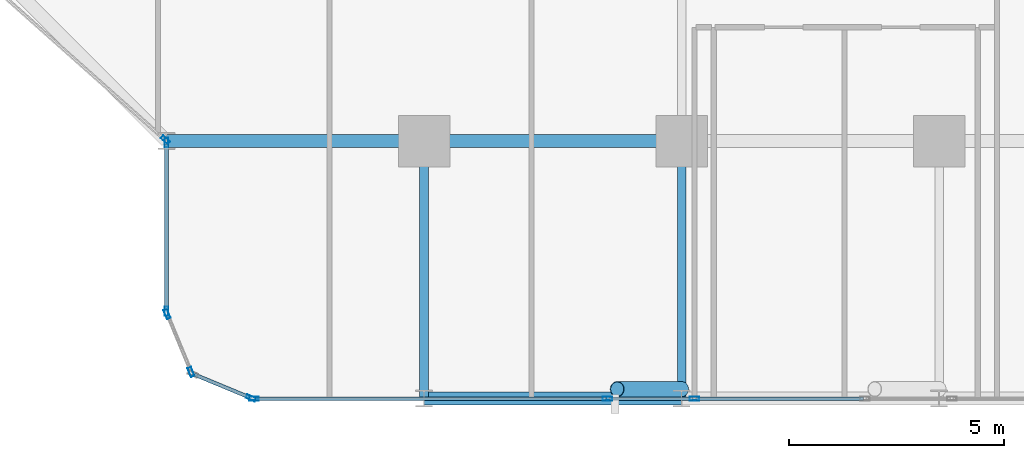
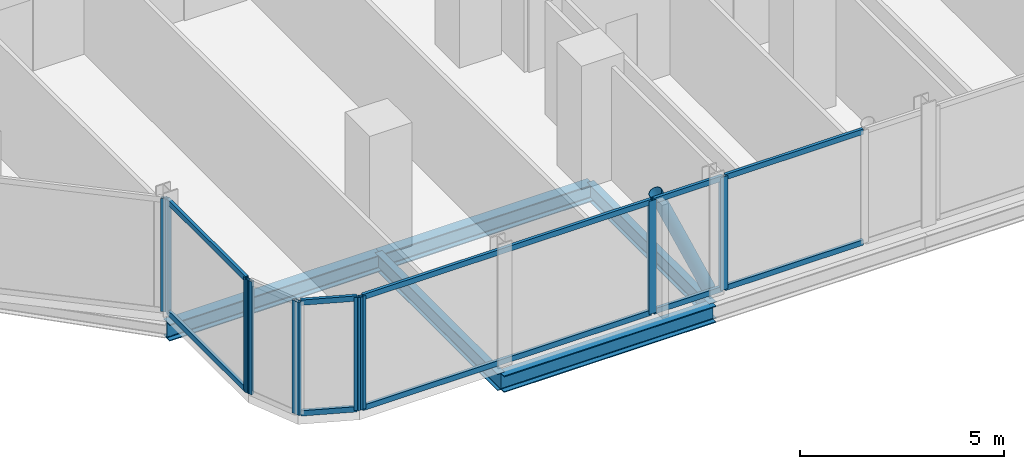
# One storey, part 4 of 34: 20 members, 5 beams, 7 elements without a shape of their own.
"""IFC4 building model written with IfcOpenShell, lengths in metres."""

from ifc_helpers import new_model, si_unit, direction, frame, origin, origin_2d, place, context, subcontext, project, spatial, hollow_rectangle, hollow_circle, i_section, extrude, material, layer, layer_set, material_profile, profile_set, type_object, element, aggregate, save


model = new_model("IFC4")

# Units and contexts
model_context = context("Model", 3, precision=1e-05, world=origin(), true_north=direction((0.0, 1.0)))
body_context = subcontext(model_context, "Body", "Model", "MODEL_VIEW")
ifc_project = project(units=[si_unit("LENGTHUNIT", "METRE"), si_unit("AREAUNIT", "SQUARE_METRE"), si_unit("VOLUMEUNIT", "CUBIC_METRE"), si_unit("PLANEANGLEUNIT", "RADIAN"), si_unit("MASSUNIT", "GRAM", prefix="KILO")], contexts=[model_context])

# Site, building, storey
site_placement = place(None, origin())
site = spatial("IfcSite", under=ifc_project, at=site_placement, CompositionType="ELEMENT")
building_placement = place(site_placement, origin())
building = spatial("IfcBuilding", under=site, at=building_placement, Name="Keshet Zoharim Tower", CompositionType="ELEMENT")
storey_placement = place(building_placement, frame((0.0, 0.0, 70.10009765625)))
storey = spatial("IfcBuildingStorey", under=building, at=storey_placement, Name="L16", CompositionType="ELEMENT", Elevation=70.10009765625)

# Beams
ifc_material_1 = material(Name="Steel S355", Category="steel")
ifc_material_profile_1 = material_profile(ifc_material_1, i_section(OverallWidth=0.199951171875, OverallDepth=0.5, WebThickness=0.01025390625, FlangeThickness=0.01611328125, FilletRadius=0.02099609375, at=origin_2d()), Name="IPE500")
ifc_profile_set_1 = profile_set([ifc_material_profile_1], Name="Steel S355")
beam_type_1 = type_object("IfcBeamType", Name="BM-PRI-IP500", PredefinedType="BEAM", material=ifc_profile_set_1)
for number, where, z_axis, x_axis, name in (
    (1, (27.0, 0.699951171875, -0.565185546875), (0.0, 1.0, 0.0), (-1.0, 0.0, 0.0), "L16 Primary Girder Y-004"),
    (2, (33.0, 0.699951171875, -0.565185546875), (0.0, 1.0, 0.0), (-1.0, 0.0, 0.0), "L16 Primary Girder Y-005"),
):
    element("IfcBeam", number, at=place(storey_placement, frame(where, z_axis=z_axis, x_axis=x_axis)), inside=storey, type_object=beam_type_1, Name=name, PredefinedType="BEAM", context=body_context, shape_type="SweptSolid", body=[
        extrude(i_section(OverallWidth=0.199951171875, OverallDepth=0.5, WebThickness=0.01025390625, FlangeThickness=0.01611328125, FilletRadius=0.02099609375, at=origin_2d()), origin(), (0.0, 0.0, 1.0), 6.0),
    ])
ifc_material_profile_2 = material_profile(ifc_material_1, i_section(OverallWidth=0.300048828125, OverallDepth=0.5, WebThickness=0.014404296875, FlangeThickness=0.028076171875, FilletRadius=0.027099609375, at=origin_2d()), Name="HEB500")
ifc_profile_set_2 = profile_set([ifc_material_profile_2], Name="Steel S355")
beam_type_2 = type_object("IfcBeamType", Name="BM-WEB-HB500", PredefinedType="BEAM", material=ifc_profile_set_2)
for number, where, z_axis, x_axis, name in (
    (3, (27.0, 0.699951171875, -0.565185546875), (1.0, 0.0, 0.0), (0.0, 1.0, 0.0), "L16 Primary Girder X-001"),
    (4, (21.0, 6.699951171875, -0.565185546875), (1.0, 0.0, 0.0), (0.0, 1.0, 0.0), "L16 Primary Girder X-006"),
    (5, (27.0, 6.699951171875, -0.565185546875), (1.0, 0.0, 0.0), (0.0, 1.0, 0.0), "L16 Primary Girder X-007"),
):
    element("IfcBeam", number, at=place(storey_placement, frame(where, z_axis=z_axis, x_axis=x_axis)), inside=storey, type_object=beam_type_2, Name=name, PredefinedType="BEAM", context=body_context, shape_type="SweptSolid", body=[
        extrude(i_section(OverallWidth=0.300048828125, OverallDepth=0.5, WebThickness=0.014404296875, FlangeThickness=0.028076171875, FilletRadius=0.027099609375, at=origin_2d()), origin(), (0.0, 0.0, 1.0), 6.0),
    ])

# Curtain wall, member
ifc_material_2 = material(Name="Aluminium 6063-T6", Category="aluminium")
ifc_layer = layer(ifc_material_2, 0.179931640625)
ifc_layer_set = layer_set([ifc_layer], Name="Aluminium 6063-T6")
curtain_wall_type = type_object("IfcCurtainWallType", Name="CW-SYS-01", PredefinedType="NOTDEFINED", material=ifc_layer_set)
curtain_wall_1_placement = place(storey_placement, origin())
curtain_wall_1 = element("IfcCurtainWall", 6, at=curtain_wall_1_placement, inside=storey, type_object=curtain_wall_type, Name="L16 Unitised Curtain Wall 01", PredefinedType="NOTDEFINED")
ifc_material_profile_3 = material_profile(ifc_material_2, hollow_rectangle(XDim=0.090087890625, YDim=0.219970703125, WallThickness=0.0048828125, at=origin_2d()), Name="MUL-90x220")
ifc_profile_set_3 = profile_set([ifc_material_profile_3], Name="Aluminium 6063-T6")
member_type_1 = type_object("IfcMemberType", Name="CWM-M22", PredefinedType="MULLION", material=ifc_profile_set_3)
member_1_placement = place(storey_placement, frame((20.973876953125, 6.72314453125, 0.0), z_axis=(0.0, 0.0, 1.0), x_axis=(-0.664363838836, -0.747409318679, 0.0)))
member_1 = element("IfcMember", 7, at=member_1_placement, type_object=member_type_1, Name="CW-01 mullion 1", PredefinedType="MULLION", context=body_context, shape_type="SweptSolid", body=[
    extrude(hollow_rectangle(XDim=0.090087890625, YDim=0.219970703125, WallThickness=0.0048828125, at=origin_2d()), origin(), (0.0, 0.0, 1.0), 3.385009765625),
])
aggregate(curtain_wall_1, [member_1])

curtain_wall_2_placement = place(storey_placement, origin())
curtain_wall_2 = element("IfcCurtainWall", 8, at=curtain_wall_2_placement, inside=storey, type_object=curtain_wall_type, Name="L16 Unitised Curtain Wall 26 Part 3", PredefinedType="NOTDEFINED")
member_2_placement = place(storey_placement, frame((33.297607421875, 0.699951171875, 0.0), z_axis=(0.0, 0.0, 1.0), x_axis=(0.0, -1.0, 0.0)))
member_2 = element("IfcMember", 9, at=member_2_placement, type_object=member_type_1, Name="CW-01 mullion 2", PredefinedType="MULLION", context=body_context, shape_type="SweptSolid", body=[
    extrude(hollow_rectangle(XDim=0.090087890625, YDim=0.219970703125, WallThickness=0.0048828125, at=origin_2d()), origin(), (0.0, 0.0, 1.0), 3.385009765625),
])

curtain_wall_3_placement = place(storey_placement, origin())
curtain_wall_3 = element("IfcCurtainWall", 10, at=curtain_wall_3_placement, inside=storey, type_object=curtain_wall_type, Name="L16 Unitised Curtain Wall 26 Part 4", PredefinedType="NOTDEFINED")
member_3_placement = place(storey_placement, frame((31.2724609375, 0.699951171875, 0.0), z_axis=(0.0, 0.0, 1.0), x_axis=(0.0, -1.0, 0.0)))
member_3 = element("IfcMember", 11, at=member_3_placement, type_object=member_type_1, Name="CW-01 mullion 2", PredefinedType="MULLION", context=body_context, shape_type="SweptSolid", body=[
    extrude(hollow_rectangle(XDim=0.090087890625, YDim=0.219970703125, WallThickness=0.0048828125, at=origin_2d()), origin(), (0.0, 0.0, 1.0), 3.385009765625),
])

curtain_wall_4_placement = place(storey_placement, origin())
curtain_wall_4 = element("IfcCurtainWall", 12, at=curtain_wall_4_placement, inside=storey, type_object=curtain_wall_type, Name="L16 Unitised Curtain Wall 26 Part 5", PredefinedType="NOTDEFINED")
member_4_placement = place(storey_placement, frame((23.034912109375, 0.699951171875, 0.0), z_axis=(0.0, 0.0, 1.0), x_axis=(0.0, -1.0, 0.0)))
member_4 = element("IfcMember", 13, at=member_4_placement, type_object=member_type_1, Name="CW-01 mullion 2", PredefinedType="MULLION", context=body_context, shape_type="SweptSolid", body=[
    extrude(hollow_rectangle(XDim=0.090087890625, YDim=0.219970703125, WallThickness=0.0048828125, at=origin_2d()), origin(), (0.0, 0.0, 1.0), 3.385009765625),
])

curtain_wall_5_placement = place(storey_placement, origin())
curtain_wall_5 = element("IfcCurtainWall", 14, at=curtain_wall_5_placement, inside=storey, type_object=curtain_wall_type, Name="L16 Unitised Curtain Wall 27", PredefinedType="NOTDEFINED")
member_5_placement = place(storey_placement, frame((22.9677734375, 0.71337890625, 0.0), z_axis=(0.0, 0.0, 1.0), x_axis=(-0.382851849847, -0.92380975372, 0.0)))
member_5 = element("IfcMember", 15, at=member_5_placement, type_object=member_type_1, Name="CW-01 mullion 1", PredefinedType="MULLION", context=body_context, shape_type="SweptSolid", body=[
    extrude(hollow_rectangle(XDim=0.090087890625, YDim=0.219970703125, WallThickness=0.0048828125, at=origin_2d()), origin(), (0.0, 0.0, 1.0), 3.385009765625),
])

# Curtain wall, members
curtain_wall_6_placement = place(storey_placement, origin())
curtain_wall_6 = element("IfcCurtainWall", 16, at=curtain_wall_6_placement, inside=storey, type_object=curtain_wall_type, Name="L16 Unitised Curtain Wall 28", PredefinedType="NOTDEFINED")
member_6_placement = place(storey_placement, frame((21.572509765625, 1.318359375, 0.0), z_axis=(0.0, 0.0, 1.0), x_axis=(-0.92380975372, -0.382851849847, 0.0)))
member_6 = element("IfcMember", 17, at=member_6_placement, type_object=member_type_1, Name="CW-01 mullion 1", PredefinedType="MULLION", context=body_context, shape_type="SweptSolid", body=[
    extrude(hollow_rectangle(XDim=0.090087890625, YDim=0.219970703125, WallThickness=0.0048828125, at=origin_2d()), origin(), (0.0, 0.0, 1.0), 3.385009765625),
])
member_7_placement = place(storey_placement, frame((21.013427734375, 2.667724609375, 0.0), z_axis=(0.0, 0.0, 1.0), x_axis=(-0.92380975372, -0.382851849847, 0.0)))
member_7 = element("IfcMember", 18, at=member_7_placement, type_object=member_type_1, Name="CW-01 mullion 2", PredefinedType="MULLION", context=body_context, shape_type="SweptSolid", body=[
    extrude(hollow_rectangle(XDim=0.090087890625, YDim=0.219970703125, WallThickness=0.0048828125, at=origin_2d()), origin(), (0.0, 0.0, 1.0), 3.385009765625),
])
aggregate(curtain_wall_6, [member_6, member_7])

curtain_wall_7_placement = place(storey_placement, origin())
curtain_wall_7 = element("IfcCurtainWall", 19, at=curtain_wall_7_placement, inside=storey, type_object=curtain_wall_type, Name="L16 Unitised Curtain Wall 29", PredefinedType="NOTDEFINED")
member_8_placement = place(storey_placement, frame((21.0, 2.735107421875, 0.0), z_axis=(0.0, 0.0, 1.0), x_axis=(-1.0, 0.0, 0.0)))
member_8 = element("IfcMember", 20, at=member_8_placement, type_object=member_type_1, Name="CW-01 mullion 1", PredefinedType="MULLION", context=body_context, shape_type="SweptSolid", body=[
    extrude(hollow_rectangle(XDim=0.090087890625, YDim=0.219970703125, WallThickness=0.0048828125, at=origin_2d()), origin(), (0.0, 0.0, 1.0), 3.385009765625),
])
member_9_placement = place(storey_placement, frame((21.0, 6.6650390625, 0.0), z_axis=(0.0, 0.0, 1.0), x_axis=(-1.0, 0.0, 0.0)))
member_9 = element("IfcMember", 21, at=member_9_placement, type_object=member_type_1, Name="CW-01 mullion 2", PredefinedType="MULLION", context=body_context, shape_type="SweptSolid", body=[
    extrude(hollow_rectangle(XDim=0.090087890625, YDim=0.219970703125, WallThickness=0.0048828125, at=origin_2d()), origin(), (0.0, 0.0, 1.0), 3.385009765625),
])

# Member
ifc_material_profile_4 = material_profile(ifc_material_2, hollow_rectangle(XDim=0.0849609375, YDim=0.159912109375, WallThickness=0.00439453125, at=origin_2d()), Name="TRN-85x160")
ifc_profile_set_4 = profile_set([ifc_material_profile_4], Name="Aluminium 6063-T6")
member_type_2 = type_object("IfcMemberType", Name="CWT-T16", PredefinedType="USERDEFINED", material=ifc_profile_set_4)
member_10_placement = place(storey_placement, frame((37.2373046875, 0.699951171875, 0.034912109375), z_axis=(-1.0, 0.0, 0.0), x_axis=(0.0, -1.0, 0.0)))
member_10 = element("IfcMember", 22, at=member_10_placement, type_object=member_type_2, Name="CW-01 transom 1.1", ObjectType="TRANSOM", PredefinedType="USERDEFINED", context=body_context, shape_type="SweptSolid", body=[
    extrude(hollow_rectangle(XDim=0.0849609375, YDim=0.159912109375, WallThickness=0.00439453125, at=origin_2d()), origin(), (0.0, 0.0, 1.0), 3.90478515625),
])

member_11_placement = place(storey_placement, frame((37.2373046875, 0.699951171875, 3.349853515625), z_axis=(-1.0, 0.0, 0.0), x_axis=(0.0, -1.0, 0.0)))
member_11 = element("IfcMember", 23, at=member_11_placement, type_object=member_type_2, Name="CW-01 transom 1.2", ObjectType="TRANSOM", PredefinedType="USERDEFINED", context=body_context, shape_type="SweptSolid", body=[
    extrude(hollow_rectangle(XDim=0.0849609375, YDim=0.159912109375, WallThickness=0.00439453125, at=origin_2d()), origin(), (0.0, 0.0, 1.0), 3.90478515625),
])

aggregate(curtain_wall_2, [member_2, member_10, member_11])

member_12_placement = place(storey_placement, frame((33.2626953125, 0.699951171875, 0.034912109375), z_axis=(-1.0, 0.0, 0.0), x_axis=(0.0, -1.0, 0.0)))
member_12 = element("IfcMember", 24, at=member_12_placement, type_object=member_type_2, Name="CW-01 transom 1.1", ObjectType="TRANSOM", PredefinedType="USERDEFINED", context=body_context, shape_type="SweptSolid", body=[
    extrude(hollow_rectangle(XDim=0.0849609375, YDim=0.159912109375, WallThickness=0.00439453125, at=origin_2d()), origin(), (0.0, 0.0, 1.0), 1.955322265625),
])

member_13_placement = place(storey_placement, frame((33.2626953125, 0.699951171875, 3.349853515625), z_axis=(-1.0, 0.0, 0.0), x_axis=(0.0, -1.0, 0.0)))
member_13 = element("IfcMember", 25, at=member_13_placement, type_object=member_type_2, Name="CW-01 transom 1.2", ObjectType="TRANSOM", PredefinedType="USERDEFINED", context=body_context, shape_type="SweptSolid", body=[
    extrude(hollow_rectangle(XDim=0.0849609375, YDim=0.159912109375, WallThickness=0.00439453125, at=origin_2d()), origin(), (0.0, 0.0, 1.0), 1.955322265625),
])

aggregate(curtain_wall_3, [member_3, member_12, member_13])

member_14_placement = place(storey_placement, frame((31.2373046875, 0.699951171875, 0.034912109375), z_axis=(-1.0, 0.0, 0.0), x_axis=(0.0, -1.0, 0.0)))
member_14 = element("IfcMember", 26, at=member_14_placement, type_object=member_type_2, Name="CW-01 transom 1.1", ObjectType="TRANSOM", PredefinedType="USERDEFINED", context=body_context, shape_type="SweptSolid", body=[
    extrude(hollow_rectangle(XDim=0.0849609375, YDim=0.159912109375, WallThickness=0.00439453125, at=origin_2d()), origin(), (0.0, 0.0, 1.0), 8.167236328125),
])

member_15_placement = place(storey_placement, frame((31.2373046875, 0.699951171875, 3.349853515625), z_axis=(-1.0, 0.0, 0.0), x_axis=(0.0, -1.0, 0.0)))
member_15 = element("IfcMember", 27, at=member_15_placement, type_object=member_type_2, Name="CW-01 transom 1.2", ObjectType="TRANSOM", PredefinedType="USERDEFINED", context=body_context, shape_type="SweptSolid", body=[
    extrude(hollow_rectangle(XDim=0.0849609375, YDim=0.159912109375, WallThickness=0.00439453125, at=origin_2d()), origin(), (0.0, 0.0, 1.0), 8.167236328125),
])

aggregate(curtain_wall_4, [member_4, member_14, member_15])

member_16_placement = place(storey_placement, frame((22.935302734375, 0.726806640625, 0.034912109375), z_axis=(-0.92379209995, 0.382894445076, 0.0), x_axis=(-0.382894445076, -0.92379209995, 0.0)))
member_16 = element("IfcMember", 28, at=member_16_placement, type_object=member_type_2, Name="CW-01 transom 1.1", ObjectType="TRANSOM", PredefinedType="USERDEFINED", context=body_context, shape_type="SweptSolid", body=[
    extrude(hollow_rectangle(XDim=0.0849609375, YDim=0.159912109375, WallThickness=0.00439453125, at=origin_2d()), origin(), (0.0, 0.0, 1.0), 1.390625),
])

member_17_placement = place(storey_placement, frame((22.935302734375, 0.726806640625, 3.349853515625), z_axis=(-0.92379209995, 0.382894445076, 0.0), x_axis=(-0.382894445076, -0.92379209995, 0.0)))
member_17 = element("IfcMember", 29, at=member_17_placement, type_object=member_type_2, Name="CW-01 transom 1.2", ObjectType="TRANSOM", PredefinedType="USERDEFINED", context=body_context, shape_type="SweptSolid", body=[
    extrude(hollow_rectangle(XDim=0.0849609375, YDim=0.159912109375, WallThickness=0.00439453125, at=origin_2d()), origin(), (0.0, 0.0, 1.0), 1.390625),
])

aggregate(curtain_wall_5, [member_5, member_16, member_17])

member_18_placement = place(storey_placement, frame((21.0, 2.77001953125, 0.034912109375), z_axis=(0.0, 1.0, 0.0), x_axis=(-1.0, 0.0, 0.0)))
member_18 = element("IfcMember", 30, at=member_18_placement, type_object=member_type_2, Name="CW-01 transom 1.1", ObjectType="TRANSOM", PredefinedType="USERDEFINED", context=body_context, shape_type="SweptSolid", body=[
    extrude(hollow_rectangle(XDim=0.0849609375, YDim=0.159912109375, WallThickness=0.00439453125, at=origin_2d()), origin(), (0.0, 0.0, 1.0), 3.85986328125),
])

member_19_placement = place(storey_placement, frame((21.0, 2.77001953125, 3.349853515625), z_axis=(0.0, 1.0, 0.0), x_axis=(-1.0, 0.0, 0.0)))
member_19 = element("IfcMember", 31, at=member_19_placement, type_object=member_type_2, Name="CW-01 transom 1.2", ObjectType="TRANSOM", PredefinedType="USERDEFINED", context=body_context, shape_type="SweptSolid", body=[
    extrude(hollow_rectangle(XDim=0.0849609375, YDim=0.159912109375, WallThickness=0.00439453125, at=origin_2d()), origin(), (0.0, 0.0, 1.0), 3.85986328125),
])

aggregate(curtain_wall_7, [member_8, member_9, member_18, member_19])

ifc_material_profile_5 = material_profile(ifc_material_1, hollow_circle(Radius=0.177734375, WallThickness=0.012451171875, at=origin_2d()), Name="CHS355x12.5")
ifc_profile_set_5 = profile_set([ifc_material_profile_5], Name="Steel S355")
member_type_3 = type_object("IfcMemberType", Name="MB-BR-C355", PredefinedType="BRACE", material=ifc_profile_set_5)
member_20_placement = place(storey_placement, frame((33.0, 0.919921875, 0.0), z_axis=(-0.405134846829, 0.0, 0.91425694194), x_axis=(0.0, -1.0, 0.0)))
element("IfcMember", 32, at=member_20_placement, inside=storey, type_object=member_type_3, Name="L16 Perimeter Tube Brace 02", PredefinedType="BRACE", context=body_context, shape_type="SweptSolid", body=[
    extrude(hollow_circle(Radius=0.177734375, WallThickness=0.012451171875, at=origin_2d()), origin(), (0.0, 0.0, 1.0), 3.702392578125),
])

save(model, "model.ifc")
